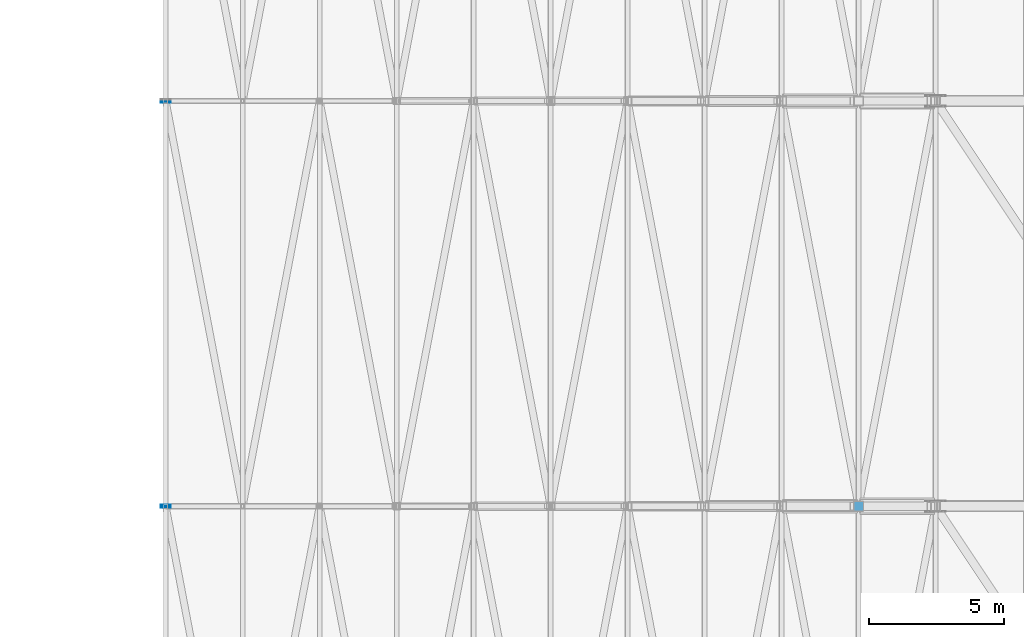
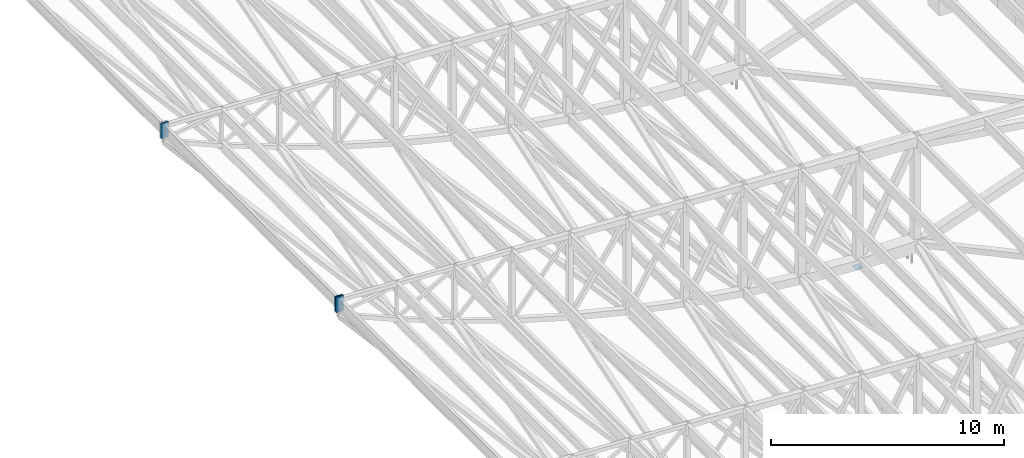
# One storey, part 190 of 278: 4 discrete accessories.
"""IFC4 building model written with IfcOpenShell, lengths in metres."""

from ifc_helpers import new_model, si_unit, direction, frame, origin, origin_2d, place, context, subcontext, project, spatial, rectangle, extrude, material, layer, layer_set, type_object, element, save


model = new_model("IFC4")

# Units and contexts
model_context = context("Model", 3, precision=1e-05, world=origin(), true_north=direction((0.0, 1.0)))
body_context = subcontext(model_context, "Body", "Model", "MODEL_VIEW")
ifc_project = project(units=[si_unit("LENGTHUNIT", "METRE"), si_unit("AREAUNIT", "SQUARE_METRE"), si_unit("VOLUMEUNIT", "CUBIC_METRE"), si_unit("PLANEANGLEUNIT", "RADIAN"), si_unit("MASSUNIT", "GRAM", prefix="KILO")], contexts=[model_context])

# Site, building, storey
site_placement = place(None, origin())
site = spatial("IfcSite", under=ifc_project, at=site_placement, CompositionType="ELEMENT")
building_placement = place(site_placement, origin())
building = spatial("IfcBuilding", under=site, at=building_placement, Name="Ogive Plaza Stadium", CompositionType="ELEMENT")
storey_placement = place(building_placement, frame((0.0, 0.0, 29.0)))
storey = spatial("IfcBuildingStorey", under=building, at=storey_placement, Name="Roof", CompositionType="ELEMENT", Elevation=29.0)

# Discrete accessories
ifc_material_1 = material(Name="Steel ASTM A992 Grade 50", Category="steel")
ifc_layer_1 = layer(ifc_material_1, 0.030029296875)
ifc_layer_set_1 = layer_set([ifc_layer_1], Name="Steel ASTM A992 Grade 50")
discrete_accessory_type_1 = type_object("IfcDiscreteAccessoryType", Name="Ring beam end plate 30", PredefinedType="ANCHORPLATE", material=ifc_layer_set_1)
for number, where, z_axis, x_axis, name in (
    (1, (45.5, -7.546142578125, 6.7265625), (0.0, 0.0, 1.0), (0.0, -1.0, 0.0), "RING BEAM END PLATE B05 1"),
    (2, (45.5, -22.453857421875, 6.7265625), (0.0, 0.0, 1.0), (0.0, -1.0, 0.0), "RING BEAM END PLATE B05 2"),
    (3, (45.5, -22.546142578125, 6.7265625), (0.0, 0.0, 1.0), (0.0, -1.0, 0.0), "RING BEAM END PLATE B06 1"),
):
    element("IfcDiscreteAccessory", number, at=place(storey_placement, frame(where, z_axis=z_axis, x_axis=x_axis)), inside=storey, type_object=discrete_accessory_type_1, Name=name, PredefinedType="ANCHORPLATE", context=body_context, shape_type="SweptSolid", body=[
        extrude(rectangle(XDim=0.030029296875, YDim=0.3779296875, at=origin_2d()), origin(), (0.0, 0.0, 1.0), 0.798583984375),
    ])
ifc_material_2 = material(Name="Steel ASTM A992 Grade 50", Category="steel")
ifc_layer_2 = layer(ifc_material_2, 0.02001953125)
ifc_layer_set_2 = layer_set([ifc_layer_2], Name="Steel ASTM A992 Grade 50")
discrete_accessory_type_2 = type_object("IfcDiscreteAccessoryType", Name="Roof truss post cap plate 20", PredefinedType="ANCHORPLATE", material=ifc_layer_set_2)
discrete_accessory_placement = place(storey_placement, frame((71.14990234375, -22.5, 0.04541015625), z_axis=(0.0, 0.0, 1.0), x_axis=(1.0, 0.0, 0.0)))
element("IfcDiscreteAccessory", 4, at=discrete_accessory_placement, inside=storey, type_object=discrete_accessory_type_2, Name="ROOF TRUSS POST CAP PLATE 06 10", PredefinedType="ANCHORPLATE", context=body_context, shape_type="SweptSolid", body=[
    extrude(rectangle(XDim=0.355712890625, YDim=0.355712890625, at=origin_2d()), origin(), (0.0, 0.0, 1.0), 0.02001953125),
])

save(model, "model.ifc")
